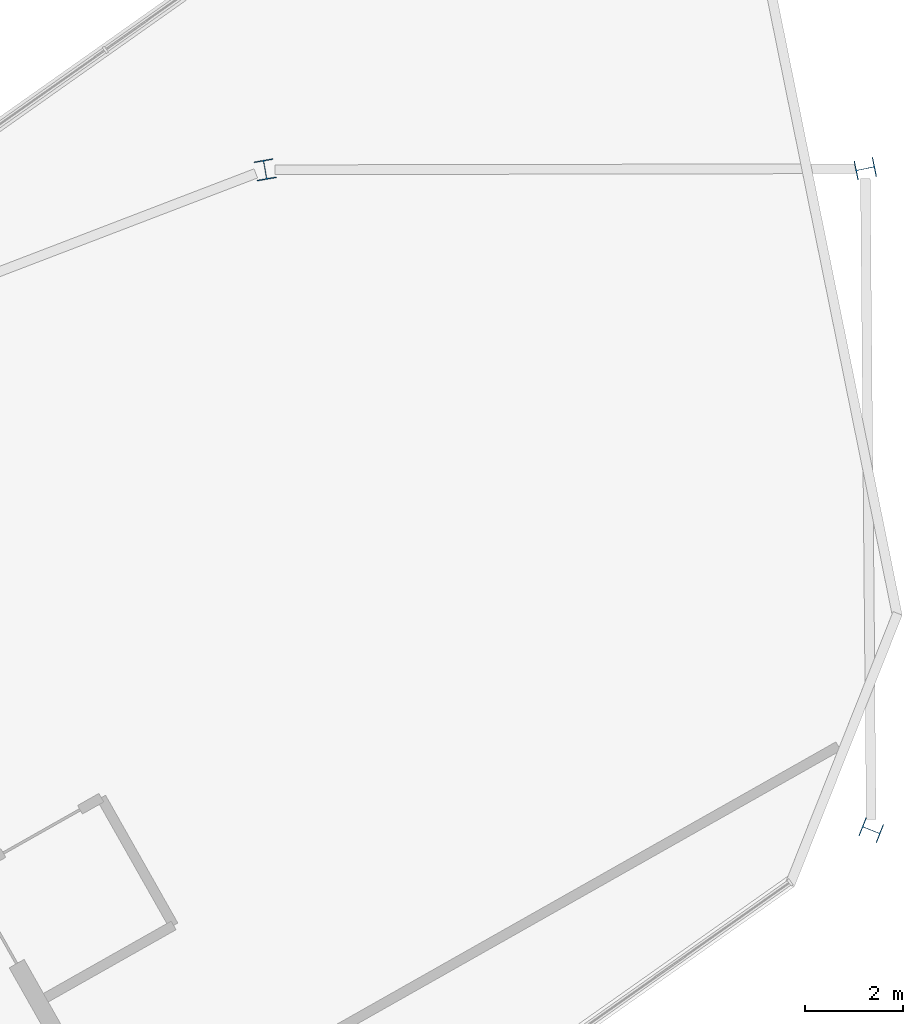
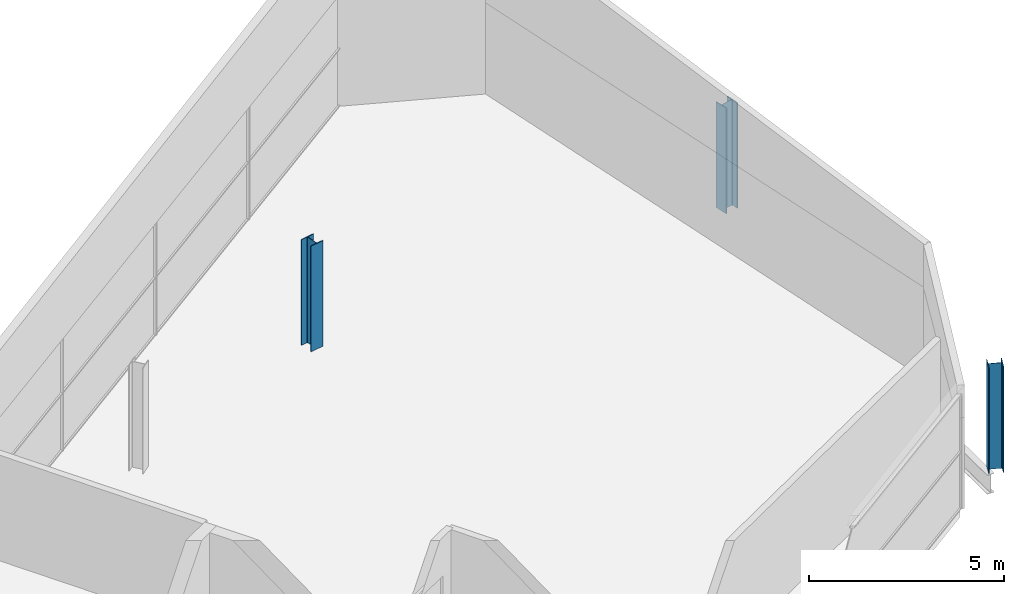
# One storey, part 2 of 10: 3 columns.
"""IFC4 building model written with IfcOpenShell, lengths in metres."""

from ifc_helpers import new_model, si_unit, direction, frame, origin, origin_2d, place, context, subcontext, project, spatial, i_section, extrude, material, material_profile, profile_set, type_object, element, save


model = new_model("IFC4")

# Units and contexts
model_context = context("Model", 3, precision=1e-05, world=origin(), true_north=direction((0.0, 1.0)))
body_context = subcontext(model_context, "Body", "Model", "MODEL_VIEW")
ifc_project = project(units=[si_unit("LENGTHUNIT", "METRE"), si_unit("AREAUNIT", "SQUARE_METRE"), si_unit("VOLUMEUNIT", "CUBIC_METRE"), si_unit("PLANEANGLEUNIT", "RADIAN"), si_unit("MASSUNIT", "GRAM", prefix="KILO")], contexts=[model_context])

# Site, building, storey
site_placement = place(None, origin())
site = spatial("IfcSite", under=ifc_project, at=site_placement, CompositionType="ELEMENT")
building_placement = place(site_placement, origin())
building = spatial("IfcBuilding", under=site, at=building_placement, Name="Binnacle Exchange Tower", CompositionType="ELEMENT")
storey_placement = place(building_placement, frame((0.0, 0.0, 368.5)))
storey = spatial("IfcBuildingStorey", under=building, at=storey_placement, Name="L85", CompositionType="ELEMENT", Elevation=368.5)

# Columns
ifc_material = material(Name="Steel S355 (SHN355)", Category="steel")
ifc_material_profile = material_profile(ifc_material, i_section(OverallWidth=0.39990234375, OverallDepth=0.39990234375, WebThickness=0.012939453125, FlangeThickness=0.02099609375, FilletRadius=0.02197265625, at=origin_2d()), Name="H 400x400x13x21")
ifc_profile_set = profile_set([ifc_material_profile], Name="Steel S355 (SHN355)")
column_type = type_object("IfcColumnType", Name="H 400x400x13x21", PredefinedType="COLUMN", material=ifc_profile_set)
for number, where, z_axis, x_axis, name in (
    (1, (-10.760009765625, 46.070556640625, 0.0), (0.0, 0.0, 1.0), (0.369033125724, 0.929416242659, 0.0), "S:COL:MC31:L85"),
    (2, (-10.88232421875, 59.5869140625, 0.0), (0.0, 0.0, 1.0), (-0.198666664019, 0.98006711842, 0.0), "S:COL:MC34:L85"),
    (3, (-23.1455078125, 59.5634765625, 0.0), (0.0, 0.0, 1.0), (0.985345447257, 0.170570658584, 0.0), "S:COL:MC25:L85"),
):
    element("IfcColumn", number, at=place(storey_placement, frame(where, z_axis=z_axis, x_axis=x_axis)), inside=storey, type_object=column_type, Name=name, PredefinedType="COLUMN", context=body_context, shape_type="SweptSolid", body=[
        extrude(i_section(OverallWidth=0.39990234375, OverallDepth=0.39990234375, WebThickness=0.012939453125, FlangeThickness=0.02099609375, FilletRadius=0.02197265625, at=origin_2d()), origin(), (0.0, 0.0, 1.0), 3.300048828125),
    ])

save(model, "model.ifc")
